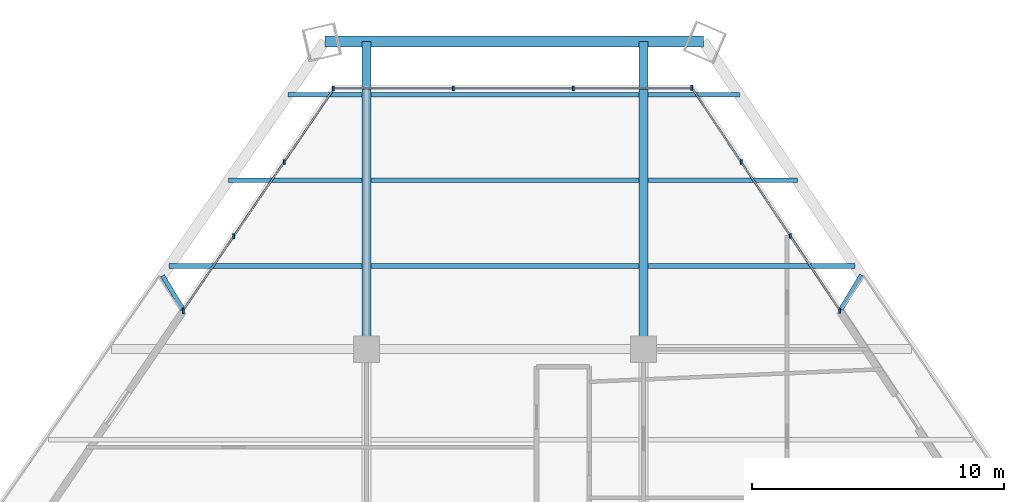
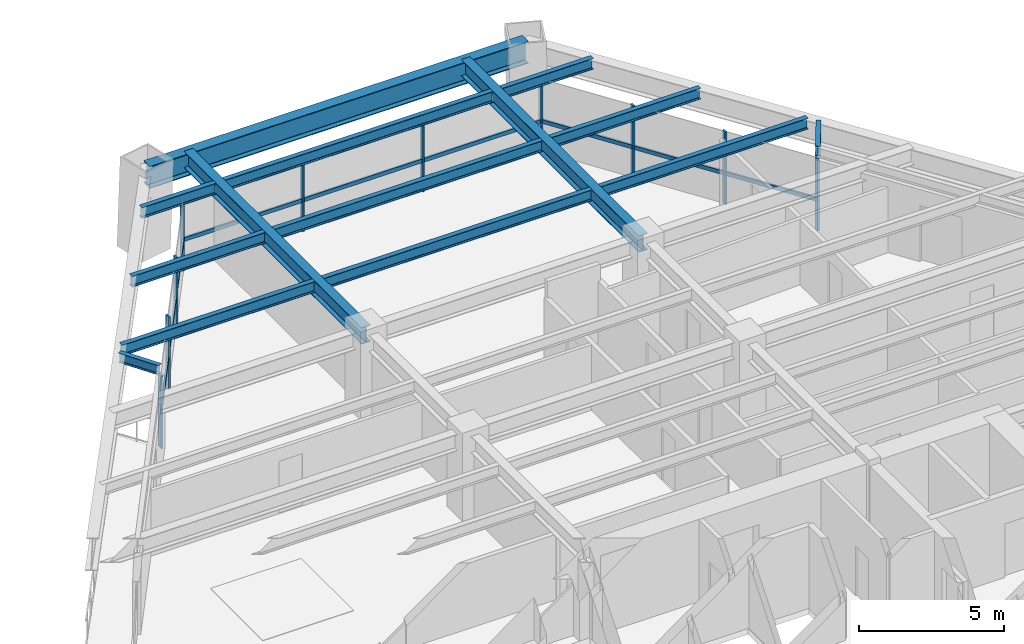
# One storey, part 8 of 15: 20 members, 14 beams, 3 elements without a shape of their own.
"""IFC4 building model written with IfcOpenShell, lengths in metres."""

from ifc_helpers import new_model, si_unit, direction, frame, origin, origin_2d, place, context, subcontext, project, spatial, rectangle, i_section, extrude, source, transform, mapped, material, material_profile, profile_set, type_object, element, aggregate, save


model = new_model("IFC4")

# Units and contexts
model_context = context("Model", 3, precision=1e-05, world=origin(), true_north=direction((0.0, 1.0)))
body_context = subcontext(model_context, "Body", "Model", "MODEL_VIEW")
ifc_project = project(units=[si_unit("LENGTHUNIT", "METRE"), si_unit("AREAUNIT", "SQUARE_METRE"), si_unit("VOLUMEUNIT", "CUBIC_METRE"), si_unit("PLANEANGLEUNIT", "RADIAN"), si_unit("MASSUNIT", "GRAM", prefix="KILO")], contexts=[model_context])

# Site, building, storey
site_placement = place(None, origin())
site = spatial("IfcSite", under=ifc_project, at=site_placement, CompositionType="ELEMENT")
building_placement = place(site_placement, origin())
building = spatial("IfcBuilding", under=site, at=building_placement, Name="Varnakhor Terracotta Tower", CompositionType="ELEMENT")
storey_placement = place(building_placement, frame((0.0, 0.0, 57.10009765625)))
storey = spatial("IfcBuildingStorey", under=building, at=storey_placement, Name="L13", CompositionType="ELEMENT", Elevation=57.10009765625)

# Beams
ifc_material_1 = material(Name="Steel S355", Category="steel")
ifc_material_profile_1 = material_profile(ifc_material_1, i_section(OverallWidth=0.19189453125, OverallDepth=0.462890625, WebThickness=0.010498046875, FlangeThickness=0.017578125, FilletRadius=0.01806640625, at=origin_2d()), Name="W18X60")
ifc_profile_set_1 = profile_set([ifc_material_profile_1], Name="Steel S355")
beam_type_1 = type_object("IfcBeamType", Name="JST-W18X60", PredefinedType="JOIST", material=ifc_profile_set_1)
shared_shape_1 = source(origin(), body_context, "Body", "SweptSolid", [
    extrude(i_section(OverallWidth=0.19189453125, OverallDepth=0.462890625, WebThickness=0.010498046875, FlangeThickness=0.017578125, FilletRadius=0.01806640625, at=origin_2d()), origin(), (0.0, 0.0, 1.0), 10.65283203125),
])
for number, where, z_axis, x_axis, name in (
    (1, (-5.326416015625, 34.800048828125, 3.218505859375), (1.0, 0.0, 0.0), (0.0, 1.0, 0.0), "L13 Composite Floor Joist 7-2"),
    (2, (-5.326416015625, 38.199951171875, 3.218505859375), (1.0, 0.0, 0.0), (0.0, 1.0, 0.0), "L13 Composite Floor Joist 8-2"),
    (3, (-5.326416015625, 41.60009765625, 3.218505859375), (1.0, 0.0, 0.0), (0.0, 1.0, 0.0), "L13 Composite Floor Joist 9-2"),
):
    element("IfcBeam", number, at=place(storey_placement, frame(where, z_axis=z_axis, x_axis=x_axis)), inside=storey, type_object=beam_type_1, Name=name, PredefinedType="JOIST", context=body_context, shape_type="MappedRepresentation", body=[
        mapped(shared_shape_1, transform((0.0, 0.0, 0.0), scale=1.0)),
    ])
ifc_material_profile_2 = material_profile(ifc_material_1, i_section(OverallWidth=0.41796875, OverallDepth=0.927001953125, WebThickness=0.01904296875, FlangeThickness=0.031982421875, FilletRadius=0.01806640625, at=origin_2d()), Name="W36X231")
ifc_profile_set_2 = profile_set([ifc_material_profile_2], Name="Steel S355")
beam_type_2 = type_object("IfcBeamType", Name="BM-W36X231", PredefinedType="BEAM", material=ifc_profile_set_2)
shared_shape_2 = source(origin(), body_context, "Body", "SweptSolid", [
    extrude(i_section(OverallWidth=0.41796875, OverallDepth=0.927001953125, WebThickness=0.01904296875, FlangeThickness=0.031982421875, FilletRadius=0.01806640625, at=origin_2d()), origin(), (0.0, 0.0, 1.0), 15.027099609375),
])
beam_1_placement = place(storey_placement, frame((7.873779296875, 43.71240234375, 2.986328125), z_axis=(-1.0, 0.0, 0.0), x_axis=(0.0, -1.0, 0.0)))
element("IfcBeam", 4, at=beam_1_placement, inside=storey, type_object=beam_type_2, Name="L13 Perimeter Spandrel 5", PredefinedType="BEAM", context=body_context, shape_type="MappedRepresentation", body=[
    mapped(shared_shape_2, transform((0.0, 0.0, 0.0), scale=1.0)),
])
ifc_material_profile_3 = material_profile(ifc_material_1, i_section(OverallWidth=0.35498046875, OverallDepth=0.695068359375, WebThickness=0.014892578125, FlangeThickness=0.02490234375, FilletRadius=0.01806640625, at=origin_2d()), Name="W27X146")
ifc_profile_set_3 = profile_set([ifc_material_profile_3], Name="Steel S355")
beam_type_3 = type_object("IfcBeamType", Name="BM-W27X146", PredefinedType="BEAM", material=ifc_profile_set_3)
shared_shape_3 = source(origin(), body_context, "Body", "SweptSolid", [
    extrude(i_section(OverallWidth=0.35498046875, OverallDepth=0.695068359375, WebThickness=0.014892578125, FlangeThickness=0.02490234375, FilletRadius=0.01806640625, at=origin_2d()), origin(), (0.0, 0.0, 1.0), 12.21240234375),
])
for number, where, z_axis, x_axis, name in (
    (5, (-5.5, 31.5, 3.102294921875), (0.0, 1.0, 0.0), (-1.0, 0.0, 0.0), "L13 Primary Girder NS3-W"),
    (6, (5.5, 31.5, 3.102294921875), (0.0, 1.0, 0.0), (-1.0, 0.0, 0.0), "L13 Primary Girder NS3-E"),
):
    element("IfcBeam", number, at=place(storey_placement, frame(where, z_axis=z_axis, x_axis=x_axis)), inside=storey, type_object=beam_type_3, Name=name, PredefinedType="BEAM", context=body_context, shape_type="MappedRepresentation", body=[
        mapped(shared_shape_3, transform((0.0, 0.0, 0.0), scale=1.0)),
    ])
shared_shape_4 = source(origin(), body_context, "Body", "SweptSolid", [
    extrude(i_section(OverallWidth=0.19189453125, OverallDepth=0.462890625, WebThickness=0.010498046875, FlangeThickness=0.017578125, FilletRadius=0.01806640625, at=origin_2d()), origin(), (0.0, 0.0, 1.0), 7.660400390625),
])
beam_2_placement = place(storey_placement, frame((-13.333984375, 34.800048828125, 3.218505859375), z_axis=(1.0, 0.0, 0.0), x_axis=(0.0, 1.0, 0.0)))
element("IfcBeam", 7, at=beam_2_placement, inside=storey, type_object=beam_type_1, Name="L13 Composite Floor Joist 7-1", PredefinedType="JOIST", context=body_context, shape_type="MappedRepresentation", body=[
    mapped(shared_shape_4, transform((0.0, 0.0, 0.0), scale=1.0)),
])
shared_shape_5 = source(origin(), body_context, "Body", "SweptSolid", [
    extrude(i_section(OverallWidth=0.19189453125, OverallDepth=0.462890625, WebThickness=0.010498046875, FlangeThickness=0.017578125, FilletRadius=0.01806640625, at=origin_2d()), origin(), (0.0, 0.0, 1.0), 8.234130859375),
])
beam_3_placement = place(storey_placement, frame((5.673583984375, 34.800048828125, 3.218505859375), z_axis=(1.0, 0.0, 0.0), x_axis=(0.0, 1.0, 0.0)))
element("IfcBeam", 8, at=beam_3_placement, inside=storey, type_object=beam_type_1, Name="L13 Composite Floor Joist 7-3", PredefinedType="JOIST", context=body_context, shape_type="MappedRepresentation", body=[
    mapped(shared_shape_5, transform((0.0, 0.0, 0.0), scale=1.0)),
])
shared_shape_6 = source(origin(), body_context, "Body", "SweptSolid", [
    extrude(i_section(OverallWidth=0.19189453125, OverallDepth=0.462890625, WebThickness=0.010498046875, FlangeThickness=0.017578125, FilletRadius=0.01806640625, at=origin_2d()), origin(), (0.0, 0.0, 1.0), 5.302490234375),
])
beam_4_placement = place(storey_placement, frame((-10.97607421875, 38.199951171875, 3.218505859375), z_axis=(1.0, 0.0, 0.0), x_axis=(0.0, 1.0, 0.0)))
element("IfcBeam", 9, at=beam_4_placement, inside=storey, type_object=beam_type_1, Name="L13 Composite Floor Joist 8-1", PredefinedType="JOIST", context=body_context, shape_type="MappedRepresentation", body=[
    mapped(shared_shape_6, transform((0.0, 0.0, 0.0), scale=1.0)),
])
shared_shape_7 = source(origin(), body_context, "Body", "SweptSolid", [
    extrude(i_section(OverallWidth=0.19189453125, OverallDepth=0.462890625, WebThickness=0.010498046875, FlangeThickness=0.017578125, FilletRadius=0.01806640625, at=origin_2d()), origin(), (0.0, 0.0, 1.0), 5.93212890625),
])
beam_5_placement = place(storey_placement, frame((5.673583984375, 38.199951171875, 3.218505859375), z_axis=(1.0, 0.0, 0.0), x_axis=(0.0, 1.0, 0.0)))
element("IfcBeam", 10, at=beam_5_placement, inside=storey, type_object=beam_type_1, Name="L13 Composite Floor Joist 8-3", PredefinedType="JOIST", context=body_context, shape_type="MappedRepresentation", body=[
    mapped(shared_shape_7, transform((0.0, 0.0, 0.0), scale=1.0)),
])
shared_shape_8 = source(origin(), body_context, "Body", "SweptSolid", [
    extrude(i_section(OverallWidth=0.19189453125, OverallDepth=0.462890625, WebThickness=0.010498046875, FlangeThickness=0.017578125, FilletRadius=0.01806640625, at=origin_2d()), origin(), (0.0, 0.0, 1.0), 2.944580078125),
])
beam_6_placement = place(storey_placement, frame((-8.6181640625, 41.60009765625, 3.218505859375), z_axis=(1.0, 0.0, 0.0), x_axis=(0.0, 1.0, 0.0)))
element("IfcBeam", 11, at=beam_6_placement, inside=storey, type_object=beam_type_1, Name="L13 Composite Floor Joist 9-1", PredefinedType="JOIST", context=body_context, shape_type="MappedRepresentation", body=[
    mapped(shared_shape_8, transform((0.0, 0.0, 0.0), scale=1.0)),
])
shared_shape_9 = source(origin(), body_context, "Body", "SweptSolid", [
    extrude(i_section(OverallWidth=0.19189453125, OverallDepth=0.462890625, WebThickness=0.010498046875, FlangeThickness=0.017578125, FilletRadius=0.01806640625, at=origin_2d()), origin(), (0.0, 0.0, 1.0), 3.63037109375),
])
beam_7_placement = place(storey_placement, frame((5.673583984375, 41.60009765625, 3.218505859375), z_axis=(1.0, 0.0, 0.0), x_axis=(0.0, 1.0, 0.0)))
element("IfcBeam", 12, at=beam_7_placement, inside=storey, type_object=beam_type_1, Name="L13 Composite Floor Joist 9-3", PredefinedType="JOIST", context=body_context, shape_type="MappedRepresentation", body=[
    mapped(shared_shape_9, transform((0.0, 0.0, 0.0), scale=1.0)),
])

# Curtain wall, members
ifc_material_2 = material(Name="Anodised Aluminium Curtain Wall System", Category="aluminium")
curtain_wall_type = type_object("IfcCurtainWallType", Name="CW-SYS-LOW-OFFICE", PredefinedType="NOTDEFINED", material=ifc_material_2)
curtain_wall_1_placement = place(storey_placement, origin())
curtain_wall_1 = element("IfcCurtainWall", 13, at=curtain_wall_1_placement, inside=storey, type_object=curtain_wall_type, Name="L13 W Facet Curtain Wall 2", PredefinedType="NOTDEFINED")
ifc_material_3 = material(Name="Anodised Aluminium 6063-T6", Category="aluminium")
ifc_material_profile_4 = material_profile(ifc_material_3, rectangle(XDim=0.074951171875, YDim=0.18505859375, at=origin_2d()), Name="ALU MULLION 75x185")
ifc_profile_set_4 = profile_set([ifc_material_profile_4], Name="Anodised Aluminium 6063-T6")
member_type_1 = type_object("IfcMemberType", Name="CWM-02", PredefinedType="MULLION", material=ifc_profile_set_4)
shared_shape_10 = source(origin(), body_context, "Body", "SweptSolid", [
    extrude(rectangle(XDim=0.074951171875, YDim=0.18505859375, at=origin_2d()), origin(), (0.0, 0.0, 1.0), 3.02978515625),
])
member_1_placement = place(storey_placement, frame((-12.781982421875, 33.03515625, 0.0), z_axis=(0.0, 0.0, 1.0), x_axis=(1.0, 0.0, 0.0)))
member_1 = element("IfcMember", 14, at=member_1_placement, type_object=member_type_1, Name="L13 W Facet Curtain Wall 2 Mullion 1", PredefinedType="MULLION", context=body_context, shape_type="MappedRepresentation", body=[
    mapped(shared_shape_10, transform((0.0, 0.0, 0.0), scale=1.0)),
])
member_2_placement = place(storey_placement, frame((-10.777099609375, 35.981201171875, 0.0), z_axis=(0.0, 0.0, 1.0), x_axis=(1.0, 0.0, 0.0)))
member_2 = element("IfcMember", 15, at=member_2_placement, type_object=member_type_1, Name="L13 W Facet Curtain Wall 2 Mullion 2", PredefinedType="MULLION", context=body_context, shape_type="MappedRepresentation", body=[
    mapped(shared_shape_10, transform((0.0, 0.0, 0.0), scale=1.0)),
])
member_3_placement = place(storey_placement, frame((-8.7724609375, 38.927490234375, 0.0), z_axis=(0.0, 0.0, 1.0), x_axis=(1.0, 0.0, 0.0)))
member_3 = element("IfcMember", 16, at=member_3_placement, type_object=member_type_1, Name="L13 W Facet Curtain Wall 2 Mullion 3", PredefinedType="MULLION", context=body_context, shape_type="MappedRepresentation", body=[
    mapped(shared_shape_10, transform((0.0, 0.0, 0.0), scale=1.0)),
])
member_4_placement = place(storey_placement, frame((-12.7822265625, 32.9990234375, 0.0), z_axis=(0.0, 0.0, 1.0), x_axis=(1.0, 0.0, 0.0)))
member_4 = element("IfcMember", 17, at=member_4_placement, type_object=member_type_1, Name="L13 W Loggia Jamb Closure Mullion 2", PredefinedType="MULLION", context=body_context, shape_type="MappedRepresentation", body=[
    mapped(shared_shape_10, transform((0.0, 0.0, 0.0), scale=1.0)),
])

curtain_wall_2_placement = place(storey_placement, origin())
curtain_wall_2 = element("IfcCurtainWall", 18, at=curtain_wall_2_placement, inside=storey, type_object=curtain_wall_type, Name="L13 Facet Curtain Wall 2", PredefinedType="NOTDEFINED")
member_5_placement = place(storey_placement, frame((-6.820068359375, 41.845947265625, 0.0), z_axis=(0.0, 0.0, 1.0), x_axis=(1.0, 0.0, 0.0)))
member_5 = element("IfcMember", 19, at=member_5_placement, type_object=member_type_1, Name="L13 Facet Curtain Wall 2 Mullion 1", PredefinedType="MULLION", context=body_context, shape_type="MappedRepresentation", body=[
    mapped(shared_shape_10, transform((0.0, 0.0, 0.0), scale=1.0)),
])
member_6_placement = place(storey_placement, frame((-2.055908203125, 41.845947265625, 0.0), z_axis=(0.0, 0.0, 1.0), x_axis=(1.0, 0.0, 0.0)))
member_6 = element("IfcMember", 20, at=member_6_placement, type_object=member_type_1, Name="L13 Facet Curtain Wall 2 Mullion 2", PredefinedType="MULLION", context=body_context, shape_type="MappedRepresentation", body=[
    mapped(shared_shape_10, transform((0.0, 0.0, 0.0), scale=1.0)),
])
member_7_placement = place(storey_placement, frame((2.70849609375, 41.845947265625, 0.0), z_axis=(0.0, 0.0, 1.0), x_axis=(1.0, 0.0, 0.0)))
member_7 = element("IfcMember", 21, at=member_7_placement, type_object=member_type_1, Name="L13 Facet Curtain Wall 2 Mullion 3", PredefinedType="MULLION", context=body_context, shape_type="MappedRepresentation", body=[
    mapped(shared_shape_10, transform((0.0, 0.0, 0.0), scale=1.0)),
])

curtain_wall_3_placement = place(storey_placement, origin())
curtain_wall_3 = element("IfcCurtainWall", 22, at=curtain_wall_3_placement, inside=storey, type_object=curtain_wall_type, Name="L13 E Facet Curtain Wall 1", PredefinedType="NOTDEFINED")
member_8_placement = place(storey_placement, frame((7.41943359375, 41.87451171875, 0.0), z_axis=(0.0, 0.0, 1.0), x_axis=(1.0, 0.0, 0.0)))
member_8 = element("IfcMember", 23, at=member_8_placement, type_object=member_type_1, Name="L13 E Facet Curtain Wall 1 Mullion 1", PredefinedType="MULLION", context=body_context, shape_type="MappedRepresentation", body=[
    mapped(shared_shape_10, transform((0.0, 0.0, 0.0), scale=1.0)),
])
member_9_placement = place(storey_placement, frame((9.375, 38.93359375, 0.0), z_axis=(0.0, 0.0, 1.0), x_axis=(1.0, 0.0, 0.0)))
member_9 = element("IfcMember", 24, at=member_9_placement, type_object=member_type_1, Name="L13 E Facet Curtain Wall 1 Mullion 2", PredefinedType="MULLION", context=body_context, shape_type="MappedRepresentation", body=[
    mapped(shared_shape_10, transform((0.0, 0.0, 0.0), scale=1.0)),
])
member_10_placement = place(storey_placement, frame((11.330322265625, 35.992431640625, 0.0), z_axis=(0.0, 0.0, 1.0), x_axis=(1.0, 0.0, 0.0)))
member_10 = element("IfcMember", 25, at=member_10_placement, type_object=member_type_1, Name="L13 E Facet Curtain Wall 1 Mullion 3", PredefinedType="MULLION", context=body_context, shape_type="MappedRepresentation", body=[
    mapped(shared_shape_10, transform((0.0, 0.0, 0.0), scale=1.0)),
])
member_11_placement = place(storey_placement, frame((13.285888671875, 33.015380859375, 0.0), z_axis=(0.0, 0.0, 1.0), x_axis=(1.0, 0.0, 0.0)))
member_11 = element("IfcMember", 26, at=member_11_placement, type_object=member_type_1, Name="L13 E Loggia Jamb Closure Mullion 1", PredefinedType="MULLION", context=body_context, shape_type="MappedRepresentation", body=[
    mapped(shared_shape_10, transform((0.0, 0.0, 0.0), scale=1.0)),
])

# Member
ifc_material_profile_5 = material_profile(ifc_material_3, rectangle(XDim=0.074951171875, YDim=0.1650390625, at=origin_2d()), Name="ALU TRANSOM 75x165")
ifc_profile_set_5 = profile_set([ifc_material_profile_5], Name="Anodised Aluminium 6063-T6")
member_type_2 = type_object("IfcMemberType", Name="CWT-02", PredefinedType="USERDEFINED", material=ifc_profile_set_5)
shared_shape_11 = source(origin(), body_context, "Body", "SweptSolid", [
    extrude(rectangle(XDim=0.074951171875, YDim=0.1650390625, at=origin_2d()), origin(), (0.0, 0.0, 1.0), 3.5634765625),
])
member_12_placement = place(storey_placement, frame((-12.781982421875, 33.03515625, 1.2724609375), z_axis=(0.56261168689, 0.826721289053, 0.0), x_axis=(-0.826721289053, 0.56261168689, 0.0)))
member_12 = element("IfcMember", 27, at=member_12_placement, type_object=member_type_2, Name="L13 W Facet Curtain Wall 2 Transom 1", ObjectType="TRANSOM", PredefinedType="USERDEFINED", context=body_context, shape_type="MappedRepresentation", body=[
    mapped(shared_shape_11, transform((0.0, 0.0, 0.0), scale=1.0)),
])

member_13_placement = place(storey_placement, frame((-10.777099609375, 35.981201171875, 1.2724609375), z_axis=(0.562532994728, 0.826774836242, 0.0), x_axis=(-0.826774836242, 0.562532994728, 0.0)))
member_13 = element("IfcMember", 28, at=member_13_placement, type_object=member_type_2, Name="L13 W Facet Curtain Wall 2 Transom 2", ObjectType="TRANSOM", PredefinedType="USERDEFINED", context=body_context, shape_type="MappedRepresentation", body=[
    mapped(shared_shape_11, transform((0.0, 0.0, 0.0), scale=1.0)),
])

member_14_placement = place(storey_placement, frame((-8.7724609375, 38.927490234375, 1.2724609375), z_axis=(0.562532994728, 0.826774836242, 0.0), x_axis=(-0.826774836242, 0.562532994728, 0.0)))
member_14 = element("IfcMember", 29, at=member_14_placement, type_object=member_type_2, Name="L13 W Facet Curtain Wall 2 Transom 3", ObjectType="TRANSOM", PredefinedType="USERDEFINED", context=body_context, shape_type="MappedRepresentation", body=[
    mapped(shared_shape_11, transform((0.0, 0.0, 0.0), scale=1.0)),
])

aggregate(curtain_wall_1, [member_1, member_12, member_2, member_13, member_3, member_14, member_4])

shared_shape_12 = source(origin(), body_context, "Body", "SweptSolid", [
    extrude(rectangle(XDim=0.074951171875, YDim=0.1650390625, at=origin_2d()), origin(), (0.0, 0.0, 1.0), 4.76416015625),
])
member_15_placement = place(storey_placement, frame((-6.820068359375, 41.845947265625, 1.2724609375), z_axis=(1.0, 0.0, 0.0), x_axis=(0.0, 1.0, 0.0)))
member_15 = element("IfcMember", 30, at=member_15_placement, type_object=member_type_2, Name="L13 Facet Curtain Wall 2 Transom 1", ObjectType="TRANSOM", PredefinedType="USERDEFINED", context=body_context, shape_type="MappedRepresentation", body=[
    mapped(shared_shape_12, transform((0.0, 0.0, 0.0), scale=1.0)),
])

member_16_placement = place(storey_placement, frame((2.70849609375, 41.845947265625, 1.2724609375), z_axis=(1.0, 0.0, 0.0), x_axis=(0.0, 1.0, 0.0)))
member_16 = element("IfcMember", 31, at=member_16_placement, type_object=member_type_2, Name="L13 Facet Curtain Wall 2 Transom 3", ObjectType="TRANSOM", PredefinedType="USERDEFINED", context=body_context, shape_type="MappedRepresentation", body=[
    mapped(shared_shape_12, transform((0.0, 0.0, 0.0), scale=1.0)),
])

shared_shape_13 = source(origin(), body_context, "Body", "SweptSolid", [
    extrude(rectangle(XDim=0.074951171875, YDim=0.1650390625, at=origin_2d()), origin(), (0.0, 0.0, 1.0), 4.764404296875),
])
member_17_placement = place(storey_placement, frame((-2.055908203125, 41.845947265625, 1.2724609375), z_axis=(1.0, 0.0, 0.0), x_axis=(0.0, 1.0, 0.0)))
member_17 = element("IfcMember", 32, at=member_17_placement, type_object=member_type_2, Name="L13 Facet Curtain Wall 2 Transom 2", ObjectType="TRANSOM", PredefinedType="USERDEFINED", context=body_context, shape_type="MappedRepresentation", body=[
    mapped(shared_shape_13, transform((0.0, 0.0, 0.0), scale=1.0)),
])

aggregate(curtain_wall_2, [member_5, member_15, member_6, member_17, member_7, member_16])

shared_shape_14 = source(origin(), body_context, "Body", "SweptSolid", [
    extrude(rectangle(XDim=0.074951171875, YDim=0.1650390625, at=origin_2d()), origin(), (0.0, 0.0, 1.0), 3.53173828125),
])
member_18_placement = place(storey_placement, frame((7.41943359375, 41.87451171875, 1.2724609375), z_axis=(0.553710750268, -0.832709075871, 0.0), x_axis=(0.832709075871, 0.553710750268, 0.0)))
member_18 = element("IfcMember", 33, at=member_18_placement, type_object=member_type_2, Name="L13 E Facet Curtain Wall 1 Transom 1", ObjectType="TRANSOM", PredefinedType="USERDEFINED", context=body_context, shape_type="MappedRepresentation", body=[
    mapped(shared_shape_14, transform((0.0, 0.0, 0.0), scale=1.0)),
])

member_19_placement = place(storey_placement, frame((9.375, 38.93359375, 1.2724609375), z_axis=(0.553630942722, -0.832762138465, 0.0), x_axis=(0.832762138465, 0.553630942722, 0.0)))
member_19 = element("IfcMember", 34, at=member_19_placement, type_object=member_type_2, Name="L13 E Facet Curtain Wall 1 Transom 2", ObjectType="TRANSOM", PredefinedType="USERDEFINED", context=body_context, shape_type="MappedRepresentation", body=[
    mapped(shared_shape_14, transform((0.0, 0.0, 0.0), scale=1.0)),
])

member_20_placement = place(storey_placement, frame((11.330322265625, 35.992431640625, 1.2724609375), z_axis=(0.553710750268, -0.832709075871, 0.0), x_axis=(0.832709075871, 0.553710750268, 0.0)))
member_20 = element("IfcMember", 35, at=member_20_placement, type_object=member_type_2, Name="L13 E Facet Curtain Wall 1 Transom 3", ObjectType="TRANSOM", PredefinedType="USERDEFINED", context=body_context, shape_type="MappedRepresentation", body=[
    mapped(shared_shape_14, transform((0.0, 0.0, 0.0), scale=1.0)),
])

aggregate(curtain_wall_3, [member_8, member_18, member_9, member_19, member_10, member_20, member_11])

# Beams
ifc_material_profile_6 = material_profile(ifc_material_1, i_section(OverallWidth=0.179931640625, OverallDepth=0.39990234375, WebThickness=0.008544921875, FlangeThickness=0.013427734375, FilletRadius=0.01806640625, at=origin_2d()), Name="IPE400")
ifc_profile_set_6 = profile_set([ifc_material_profile_6], Name="Steel S355")
beam_type_4 = type_object("IfcBeamType", Name="JST-IPE400", PredefinedType="JOIST", material=ifc_profile_set_6)
shared_shape_15 = source(origin(), body_context, "Body", "SweptSolid", [
    extrude(i_section(OverallWidth=0.179931640625, OverallDepth=0.39990234375, WebThickness=0.008544921875, FlangeThickness=0.013427734375, FilletRadius=0.01806640625, at=origin_2d()), origin(), (0.0, 0.0, 1.0), 1.580322265625),
])
beam_8_placement = place(storey_placement, frame((13.34130859375, 33.07958984375, 3.25), z_axis=(0.515563217324, 0.856851544285, 0.0), x_axis=(-0.856851544285, 0.515563217324, 0.0)))
element("IfcBeam", 36, at=beam_8_placement, inside=storey, type_object=beam_type_4, Name="L14 E Loggia Tie Beam 1", PredefinedType="JOIST", context=body_context, shape_type="MappedRepresentation", body=[
    mapped(shared_shape_15, transform((0.0, 0.0, 0.0), scale=1.0)),
])
shared_shape_16 = source(origin(), body_context, "Body", "SweptSolid", [
    extrude(i_section(OverallWidth=0.179931640625, OverallDepth=0.39990234375, WebThickness=0.008544921875, FlangeThickness=0.013427734375, FilletRadius=0.01806640625, at=origin_2d()), origin(), (0.0, 0.0, 1.0), 1.579833984375),
])
beam_9_placement = place(storey_placement, frame((-12.78515625, 33.062744140625, 3.25), z_axis=(-0.51599487417, 0.856591670418, 0.0), x_axis=(-0.856591670418, -0.51599487417, 0.0)))
element("IfcBeam", 37, at=beam_9_placement, inside=storey, type_object=beam_type_4, Name="L14 W Loggia Tie Beam 2", PredefinedType="JOIST", context=body_context, shape_type="MappedRepresentation", body=[
    mapped(shared_shape_16, transform((0.0, 0.0, 0.0), scale=1.0)),
])

save(model, "model.ifc")
